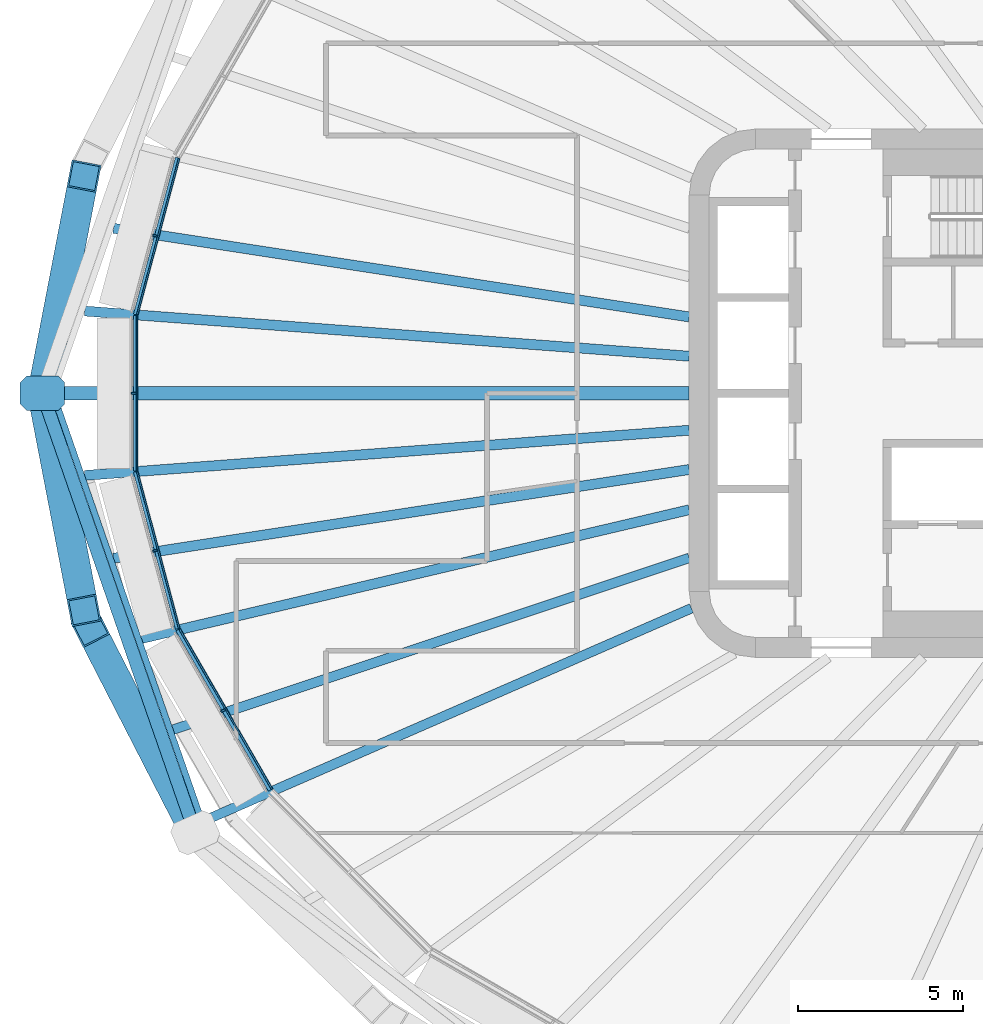
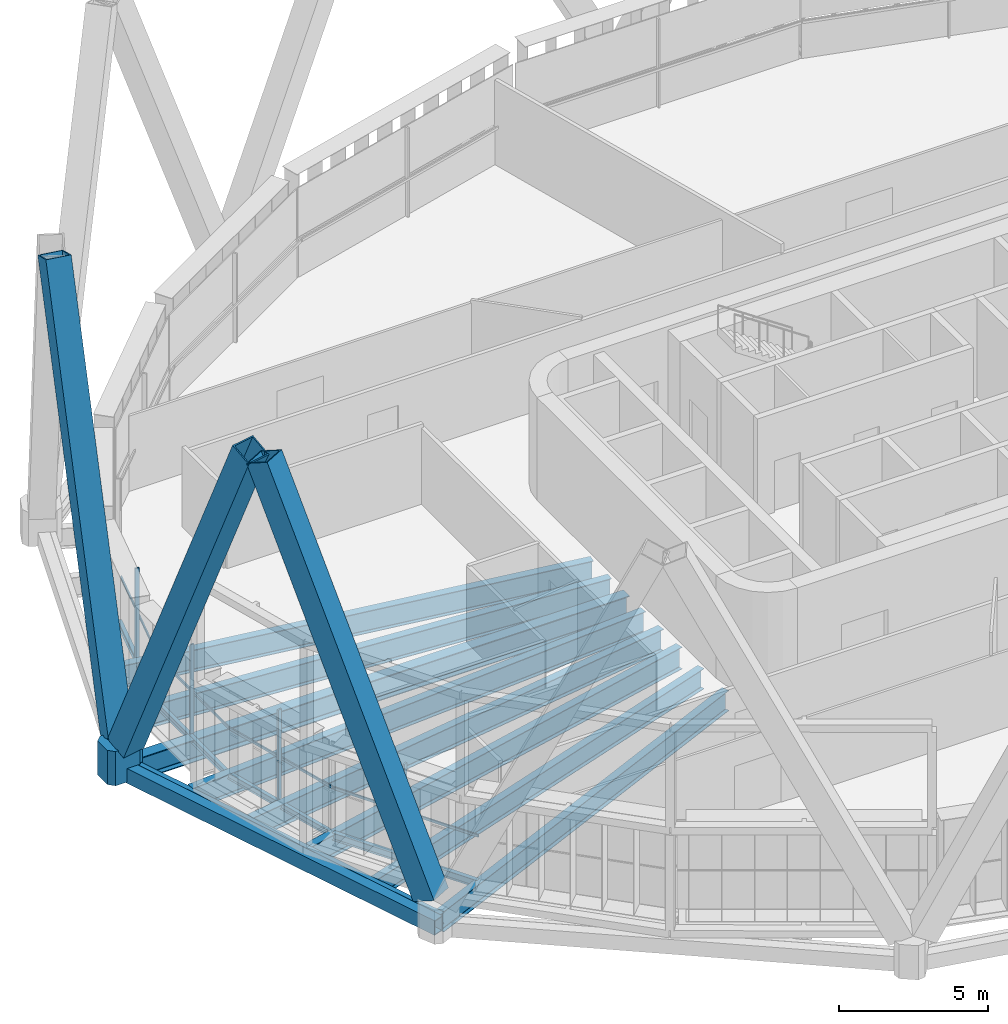
# One storey, part 3 of 25: 14 beams, 12 members, 4 elements without a shape of their own.
"""IFC4 building model written with IfcOpenShell, lengths in metres."""

from ifc_helpers import new_model, si_unit, direction, frame, origin, origin_2d, place, context, subcontext, project, spatial, polyline, rectangle, hollow_rectangle, i_section, outline, extrude, material, layer, layer_set, material_profile, profile_set, type_object, element, aggregate, save


model = new_model("IFC4")

# Units and contexts
model_context = context("Model", 3, precision=1e-05, world=origin(), true_north=direction((0.0, 1.0)))
body_context = subcontext(model_context, "Body", "Model", "MODEL_VIEW")
ifc_project = project(units=[si_unit("LENGTHUNIT", "METRE"), si_unit("AREAUNIT", "SQUARE_METRE"), si_unit("VOLUMEUNIT", "CUBIC_METRE"), si_unit("PLANEANGLEUNIT", "RADIAN"), si_unit("MASSUNIT", "GRAM", prefix="KILO")], contexts=[model_context])

# Site, building, storey
site_placement = place(None, origin())
site = spatial("IfcSite", under=ifc_project, at=site_placement, CompositionType="ELEMENT")
building_placement = place(site_placement, origin())
building = spatial("IfcBuilding", under=site, at=building_placement, Name="Sahrelin Media Tower", CompositionType="ELEMENT")
storey_placement = place(building_placement, frame((0.0, 0.0, 114.60009765625)))
storey = spatial("IfcBuildingStorey", under=building, at=storey_placement, Name="L22", CompositionType="ELEMENT", Elevation=114.60009765625)

# Members
ifc_material_1 = material(Name="Steel S460", Category="steel")
ifc_material_profile_1 = material_profile(ifc_material_1, hollow_rectangle(XDim=0.89990234375, YDim=0.89990234375, WallThickness=0.050048828125, at=origin_2d()), Name="Diagrid diagonal DG3")
ifc_profile_set_1 = profile_set([ifc_material_profile_1], Name="Steel S460")
member_type_1 = type_object("IfcMemberType", Name="Diagrid diagonal DG3", PredefinedType="BRACE", material=ifc_profile_set_1)
for number, where, z_axis, x_axis, name in (
    (1, (-34.539306640625, 0.285888671875, 0.699951171875), (0.072543222366, 0.377163278999, 0.923301327771), (-0.982000738068, 0.188877077575, 0.0), "Diagrid diagonal D04-11"),
    (2, (-34.539306640625, -0.285888671875, 0.699951171875), (0.072543222366, -0.377163278999, 0.923301327771), (0.982000738068, 0.188877077575, 0.0), "Diagrid diagonal D04-12"),
):
    element("IfcMember", number, at=place(storey_placement, frame(where, z_axis=z_axis, x_axis=x_axis)), inside=storey, type_object=member_type_1, Name=name, PredefinedType="BRACE", context=body_context, shape_type="SweptSolid", body=[
        extrude(hollow_rectangle(XDim=0.89990234375, YDim=0.89990234375, WallThickness=0.050048828125, at=origin_2d()), origin(), (0.0, 0.0, 1.0), 16.67919921875),
    ])
member_1_placement = place(storey_placement, frame((-30.09765625, -13.044921875, 0.699951171875), z_axis=(-0.181150046841, 0.352548323524, 0.91809277315), x_axis=(-0.889452455088, -0.457027712659, 0.0)))
element("IfcMember", 3, at=member_1_placement, inside=storey, type_object=member_type_1, Name="Diagrid diagonal D04-13", PredefinedType="BRACE", context=body_context, shape_type="SweptSolid", body=[
    extrude(hollow_rectangle(XDim=0.89990234375, YDim=0.89990234375, WallThickness=0.050048828125, at=origin_2d()), origin(), (0.0, 0.0, 1.0), 16.773681640625),
])
ifc_material_profile_2 = material_profile(ifc_material_1, outline(polyline([(0.47509765625, -0.52490234375), (0.675048828125, -0.324951171875), (0.675048828125, 0.324951171875), (0.47509765625, 0.52490234375), (-0.47509765625, 0.52490234375), (-0.675048828125, 0.324951171875), (-0.675048828125, -0.324951171875), (-0.47509765625, -0.52490234375), (0.47509765625, -0.52490234375)])), Name="Diagrid node block 1350")
ifc_profile_set_2 = profile_set([ifc_material_profile_2], Name="Steel S460")
member_type_2 = type_object("IfcMemberType", Name="Diagrid node block 1350", PredefinedType="USERDEFINED", material=ifc_profile_set_2)
member_2_placement = place(storey_placement, frame((-34.59423828125, 0.0, -0.7001953125), z_axis=(0.0, 0.0, 1.0), x_axis=(-1.0, 0.0, 0.0)))
element("IfcMember", 4, at=member_2_placement, inside=storey, type_object=member_type_2, Name="Diagrid node N04-06", ObjectType="NODE", PredefinedType="USERDEFINED", context=body_context, shape_type="SweptSolid", body=[
    extrude(outline(polyline([(0.47509765625, -0.52490234375), (0.675048828125, -0.324951171875), (0.675048828125, 0.324951171875), (0.47509765625, 0.52490234375), (-0.47509765625, 0.52490234375), (-0.675048828125, 0.324951171875), (-0.675048828125, -0.324951171875), (-0.47509765625, -0.52490234375), (0.47509765625, -0.52490234375)])), origin(), (0.0, 0.0, 1.0), 1.400146484375),
])

# Beams
ifc_material_profile_3 = material_profile(ifc_material_1, hollow_rectangle(XDim=0.39990234375, YDim=0.60009765625, WallThickness=0.030029296875, at=origin_2d()), Name="Diagrid ring beam RB1")
ifc_profile_set_3 = profile_set([ifc_material_profile_3], Name="Steel S460")
beam_type_1 = type_object("IfcBeamType", Name="Diagrid ring beam RB1", PredefinedType="BEAM", material=ifc_profile_set_3)
beam_1_placement = place(storey_placement, frame((-34.59423828125, 0.0, -0.4501953125), z_axis=(0.328767798917, -0.944410786891, 0.0), x_axis=(0.944410786891, 0.328767798917, 0.0)))
element("IfcBeam", 5, at=beam_1_placement, inside=storey, type_object=beam_type_1, Name="Diagrid ring beam RB04-06", PredefinedType="BEAM", context=body_context, shape_type="SweptSolid", body=[
    extrude(hollow_rectangle(XDim=0.39990234375, YDim=0.60009765625, WallThickness=0.030029296875, at=origin_2d()), origin(), (0.0, 0.0, 1.0), 14.097412109375),
])
ifc_material_2 = material(Name="Steel S355", Category="steel")
ifc_material_profile_4 = material_profile(ifc_material_2, i_section(OverallWidth=0.14599609375, OverallDepth=0.25146484375, WebThickness=0.006103515625, FlangeThickness=0.008544921875, FilletRadius=0.007568359375, at=origin_2d()), Name="UB 254x146x31")
ifc_profile_set_4 = profile_set([ifc_material_profile_4], Name="Steel S355")
beam_type_2 = type_object("IfcBeamType", Name="Edge beam EB1", PredefinedType="BEAM", material=ifc_profile_set_4)
beam_2_placement = place(storey_placement, frame((-30.488525390625, -7.131591796875, -0.27587890625), z_axis=(-0.258836128101, 0.965921248751, 0.0), x_axis=(-0.965921248751, -0.258836128101, 0.0)))
element("IfcBeam", 6, at=beam_2_placement, inside=storey, type_object=beam_type_2, Name="Edge beam L22-12", PredefinedType="BEAM", context=body_context, shape_type="SweptSolid", body=[
    extrude(i_section(OverallWidth=0.14599609375, OverallDepth=0.25146484375, WebThickness=0.006103515625, FlangeThickness=0.008544921875, FilletRadius=0.007568359375, at=origin_2d()), origin(), (0.0, 0.0, 1.0), 4.919921875),
])
beam_3_placement = place(storey_placement, frame((-31.765869140625, -2.3505859375, -0.27587890625), z_axis=(0.0, 1.0, 0.0), x_axis=(-1.0, 0.0, 0.0)))
element("IfcBeam", 7, at=beam_3_placement, inside=storey, type_object=beam_type_2, Name="Edge beam L22-13", PredefinedType="BEAM", context=body_context, shape_type="SweptSolid", body=[
    extrude(i_section(OverallWidth=0.14599609375, OverallDepth=0.25146484375, WebThickness=0.006103515625, FlangeThickness=0.008544921875, FilletRadius=0.007568359375, at=origin_2d()), origin(), (0.0, 0.0, 1.0), 4.701171875),
])
beam_4_placement = place(storey_placement, frame((-31.761962890625, 2.37939453125, -0.27587890625), z_axis=(0.258836128101, 0.965921248751, 0.0), x_axis=(-0.965921248751, 0.258836128101, 0.0)))
element("IfcBeam", 8, at=beam_4_placement, inside=storey, type_object=beam_type_2, Name="Edge beam L22-14", PredefinedType="BEAM", context=body_context, shape_type="SweptSolid", body=[
    extrude(i_section(OverallWidth=0.14599609375, OverallDepth=0.25146484375, WebThickness=0.006103515625, FlangeThickness=0.008544921875, FilletRadius=0.007568359375, at=origin_2d()), origin(), (0.0, 0.0, 1.0), 4.919921875),
])
ifc_material_profile_5 = material_profile(ifc_material_2, i_section(OverallWidth=0.1650390625, OverallDepth=0.303466796875, WebThickness=0.006103515625, FlangeThickness=0.01025390625, FilletRadius=0.0087890625, at=origin_2d()), Name="UB 305x165x40")
ifc_profile_set_5 = profile_set([ifc_material_profile_5], Name="Steel S355")
beam_type_3 = type_object("IfcBeamType", Name="Edge beam EB2", PredefinedType="BEAM", material=ifc_profile_set_5)
beam_5_placement = place(storey_placement, frame((-27.673828125, -12.014404296875, -0.3017578125), z_axis=(-0.499997576928, 0.866026802741, 0.0), x_axis=(-0.866026802741, -0.499997576928, 0.0)))
element("IfcBeam", 9, at=beam_5_placement, inside=storey, type_object=beam_type_3, Name="Edge beam L22-11", PredefinedType="BEAM", context=body_context, shape_type="SweptSolid", body=[
    extrude(i_section(OverallWidth=0.1650390625, OverallDepth=0.303466796875, WebThickness=0.006103515625, FlangeThickness=0.01025390625, FilletRadius=0.0087890625, at=origin_2d()), origin(), (0.0, 0.0, 1.0), 5.607421875),
])

# Curtain wall, member
ifc_material_3 = material(Name="Champagne anodised aluminium 6063-T6", Category="aluminium")
ifc_layer = layer(ifc_material_3, 0.14990234375)
ifc_layer_set = layer_set([ifc_layer], Name="Tower ribbon curtain wall")
curtain_wall_type = type_object("IfcCurtainWallType", Name="Tower ribbon curtain wall", PredefinedType="NOTDEFINED", material=ifc_layer_set)
curtain_wall_1_placement = place(storey_placement, frame((-31.270263671875, 4.794189453125, 0.0), z_axis=(0.0, 0.0, 1.0), x_axis=(1.0, 0.0, 0.0)))
curtain_wall_1 = element("IfcCurtainWall", 10, at=curtain_wall_1_placement, inside=storey, type_object=curtain_wall_type, Name="L22:CW:L22-11", PredefinedType="NOTDEFINED")
ifc_material_profile_6 = material_profile(ifc_material_3, rectangle(XDim=0.06005859375, YDim=0.14990234375, at=origin_2d()), Name="Mullion 60x150")
ifc_profile_set_6 = profile_set([ifc_material_profile_6], Name="Champagne anodised aluminium 6063-T6")
member_type_3 = type_object("IfcMemberType", Name="Mullion 60x150 CW1", PredefinedType="MULLION", material=ifc_profile_set_6)
member_3_placement = place(storey_placement, frame((-31.178466796875, 4.769775390625, 0.0), z_axis=(0.0, 0.0, 1.0), x_axis=(-0.258835903649, -0.965921308897, 0.0)))
member_3 = element("IfcMember", 11, at=member_3_placement, type_object=member_type_3, Name="L22:CWM:L22-11", PredefinedType="MULLION", context=body_context, shape_type="SweptSolid", body=[
    extrude(rectangle(XDim=0.06005859375, YDim=0.14990234375, at=origin_2d()), origin(), (0.0, 0.0, 1.0), 3.6484375),
])

curtain_wall_2_placement = place(storey_placement, frame((-31.915771484375, 0.0, 0.0), z_axis=(0.0, 0.0, 1.0), x_axis=(1.0, 0.0, 0.0)))
curtain_wall_2 = element("IfcCurtainWall", 12, at=curtain_wall_2_placement, inside=storey, type_object=curtain_wall_type, Name="L22:CW:L22-12", PredefinedType="NOTDEFINED")
member_4_placement = place(storey_placement, frame((-31.82080078125, 0.0, 0.0), z_axis=(0.0, 0.0, 1.0), x_axis=(0.0, -1.0, 0.0)))
member_4 = element("IfcMember", 13, at=member_4_placement, type_object=member_type_3, Name="L22:CWM:L22-12", PredefinedType="MULLION", context=body_context, shape_type="SweptSolid", body=[
    extrude(rectangle(XDim=0.06005859375, YDim=0.14990234375, at=origin_2d()), origin(), (0.0, 0.0, 1.0), 3.6484375),
])

curtain_wall_3_placement = place(storey_placement, frame((-31.270263671875, -4.794189453125, 0.0), z_axis=(0.0, 0.0, 1.0), x_axis=(1.0, 0.0, 0.0)))
curtain_wall_3 = element("IfcCurtainWall", 14, at=curtain_wall_3_placement, inside=storey, type_object=curtain_wall_type, Name="L22:CW:L22-13", PredefinedType="NOTDEFINED")
member_5_placement = place(storey_placement, frame((-31.178466796875, -4.769775390625, 0.0), z_axis=(0.0, 0.0, 1.0), x_axis=(0.258835903649, -0.965921308897, 0.0)))
member_5 = element("IfcMember", 15, at=member_5_placement, type_object=member_type_3, Name="L22:CWM:L22-13", PredefinedType="MULLION", context=body_context, shape_type="SweptSolid", body=[
    extrude(rectangle(XDim=0.06005859375, YDim=0.14990234375, at=origin_2d()), origin(), (0.0, 0.0, 1.0), 3.6484375),
])

curtain_wall_4_placement = place(storey_placement, frame((-29.20556640625, -9.6611328125, 0.0), z_axis=(0.0, 0.0, 1.0), x_axis=(1.0, 0.0, 0.0)))
curtain_wall_4 = element("IfcCurtainWall", 16, at=curtain_wall_4_placement, inside=storey, type_object=curtain_wall_type, Name="L22:CW:L22-14", PredefinedType="NOTDEFINED")
member_6_placement = place(storey_placement, frame((-29.123291015625, -9.61376953125, 0.0), z_axis=(0.0, 0.0, 1.0), x_axis=(0.499990930976, -0.866030639725, 0.0)))
member_6 = element("IfcMember", 17, at=member_6_placement, type_object=member_type_3, Name="L22:CWM:L22-14", PredefinedType="MULLION", context=body_context, shape_type="SweptSolid", body=[
    extrude(rectangle(XDim=0.06005859375, YDim=0.14990234375, at=origin_2d()), origin(), (0.0, 0.0, 1.0), 3.6484375),
])

# Beams
ifc_material_profile_7 = material_profile(ifc_material_2, i_section(OverallWidth=0.291748046875, OverallDepth=0.8349609375, WebThickness=0.013916015625, FlangeThickness=0.018798828125, FilletRadius=0.017822265625, at=origin_2d()), Name="UB 838x292x176")
ifc_profile_set_7 = profile_set([ifc_material_profile_7], Name="Steel S355")
beam_type_4 = type_object("IfcBeamType", Name="Radial primary beam PB10", PredefinedType="BEAM", material=ifc_profile_set_7)
beam_6_placement = place(storey_placement, frame((-14.9326171875, -6.5126953125, -0.567626953125), z_axis=(-0.916611517945, -0.399779095465, 0.0), x_axis=(0.399779095465, -0.916611517945, 0.0)))
element("IfcBeam", 18, at=beam_6_placement, inside=storey, type_object=beam_type_4, Name="Radial beam L22-15", PredefinedType="BEAM", context=body_context, shape_type="SweptSolid", body=[
    extrude(i_section(OverallWidth=0.291748046875, OverallDepth=0.8349609375, WebThickness=0.013916015625, FlangeThickness=0.018798828125, FilletRadius=0.017822265625, at=origin_2d()), origin(), (0.0, 0.0, 1.0), 16.078857421875),
])
ifc_material_profile_8 = material_profile(ifc_material_2, i_section(OverallWidth=0.30322265625, OverallDepth=0.903076171875, WebThickness=0.01513671875, FlangeThickness=0.020263671875, FilletRadius=0.01904296875, at=origin_2d()), Name="UB 914x305x201")
ifc_profile_set_8 = profile_set([ifc_material_profile_8], Name="Steel S355")
beam_type_5 = type_object("IfcBeamType", Name="Radial primary beam PB11", PredefinedType="BEAM", material=ifc_profile_set_8)
for number, where, z_axis, x_axis, name in (
    (19, (-15.0, 1.120849609375, -0.6015625), (-0.997219652732, 0.074518213909, 0.0), (-0.074518213909, -0.997219652732, 0.0), "Radial beam L22-12"),
    (20, (-15.0, -1.120849609375, -0.6015625), (-0.997219652732, -0.074518213909, 0.0), (0.074518213909, -0.997219652732, 0.0), "Radial beam L22-13"),
):
    element("IfcBeam", number, at=place(storey_placement, frame(where, z_axis=z_axis, x_axis=x_axis)), inside=storey, type_object=beam_type_5, Name=name, PredefinedType="BEAM", context=body_context, shape_type="SweptSolid", body=[
        extrude(i_section(OverallWidth=0.30322265625, OverallDepth=0.903076171875, WebThickness=0.01513671875, FlangeThickness=0.020263671875, FilletRadius=0.01904296875, at=origin_2d()), origin(), (0.0, 0.0, 1.0), 18.360107421875),
    ])
beam_7_placement = place(storey_placement, frame((-15.0, -3.5283203125, -0.6015625), z_axis=(-0.97343238477, -0.228974654232, 0.0), x_axis=(0.228974654232, -0.97343238477, 0.0)))
element("IfcBeam", 21, at=beam_7_placement, inside=storey, type_object=beam_type_5, Name="Radial beam L22-14", PredefinedType="BEAM", context=body_context, shape_type="SweptSolid", body=[
    extrude(i_section(OverallWidth=0.30322265625, OverallDepth=0.903076171875, WebThickness=0.01513671875, FlangeThickness=0.020263671875, FilletRadius=0.01904296875, at=origin_2d()), origin(), (0.0, 0.0, 1.0), 17.04150390625),
])
ifc_material_profile_9 = material_profile(ifc_material_2, i_section(OverallWidth=0.291748046875, OverallDepth=0.8349609375, WebThickness=0.013916015625, FlangeThickness=0.018798828125, FilletRadius=0.017822265625, at=origin_2d()), Name="UB 838x292x176")
ifc_profile_set_9 = profile_set([ifc_material_profile_9], Name="Steel S355")
beam_type_6 = type_object("IfcBeamType", Name="Radial secondary beam SB10", PredefinedType="BEAM", material=ifc_profile_set_9)
beam_8_placement = place(storey_placement, frame((-15.0, -4.989990234375, -0.567626953125), z_axis=(-0.948875817158, -0.315649621595, 0.0), x_axis=(0.315649621595, -0.948875817158, 0.0)))
element("IfcBeam", 22, at=beam_8_placement, inside=storey, type_object=beam_type_6, Name="Secondary beam L22-14", PredefinedType="BEAM", context=body_context, shape_type="SweptSolid", body=[
    extrude(i_section(OverallWidth=0.291748046875, OverallDepth=0.8349609375, WebThickness=0.013916015625, FlangeThickness=0.018798828125, FilletRadius=0.017822265625, at=origin_2d()), origin(), (0.0, 0.0, 1.0), 16.470703125),
])
ifc_material_profile_10 = material_profile(ifc_material_2, i_section(OverallWidth=0.30322265625, OverallDepth=0.903076171875, WebThickness=0.01513671875, FlangeThickness=0.020263671875, FilletRadius=0.01904296875, at=origin_2d()), Name="UB 914x305x201")
ifc_profile_set_10 = profile_set([ifc_material_profile_10], Name="Steel S355")
beam_type_7 = type_object("IfcBeamType", Name="Radial secondary beam SB11", PredefinedType="BEAM", material=ifc_profile_set_10)
for number, where, z_axis, x_axis, name in (
    (23, (-15.0, 2.31005859375, -0.6015625), (-0.988348168319, 0.152210046252, 0.0), (-0.152210046252, -0.988348168319, 0.0), "Secondary beam L22-11"),
    (24, (-15.0, -2.31005859375, -0.6015625), (-0.988348168319, -0.152210046252, 0.0), (0.152210046252, -0.988348168319, 0.0), "Secondary beam L22-13"),
):
    element("IfcBeam", number, at=place(storey_placement, frame(where, z_axis=z_axis, x_axis=x_axis)), inside=storey, type_object=beam_type_7, Name=name, PredefinedType="BEAM", context=body_context, shape_type="SweptSolid", body=[
        extrude(i_section(OverallWidth=0.30322265625, OverallDepth=0.903076171875, WebThickness=0.01513671875, FlangeThickness=0.020263671875, FilletRadius=0.01904296875, at=origin_2d()), origin(), (0.0, 0.0, 1.0), 17.64208984375),
    ])
ifc_material_profile_11 = material_profile(ifc_material_2, i_section(OverallWidth=0.41845703125, OverallDepth=0.911865234375, WebThickness=0.019287109375, FlangeThickness=0.031982421875, FilletRadius=0.024169921875, at=origin_2d()), Name="UB 914x419x343")
ifc_profile_set_11 = profile_set([ifc_material_profile_11], Name="Steel S355")
beam_type_8 = type_object("IfcBeamType", Name="Radial secondary beam SB12", PredefinedType="BEAM", material=ifc_profile_set_11)
beam_9_placement = place(storey_placement, frame((-15.0, 0.0, -0.60595703125), z_axis=(-1.0, 0.0, 0.0), x_axis=(0.0, -1.0, 0.0)))
element("IfcBeam", 25, at=beam_9_placement, inside=storey, type_object=beam_type_8, Name="Secondary beam L22-12", PredefinedType="BEAM", context=body_context, shape_type="SweptSolid", body=[
    extrude(i_section(OverallWidth=0.41845703125, OverallDepth=0.911865234375, WebThickness=0.019287109375, FlangeThickness=0.031982421875, FilletRadius=0.024169921875, at=origin_2d()), origin(), (0.0, 0.0, 1.0), 19.175537109375),
])
ifc_material_profile_12 = material_profile(ifc_material_2, i_section(OverallWidth=0.1904296875, OverallDepth=0.45703125, WebThickness=0.009033203125, FlangeThickness=0.014404296875, FilletRadius=0.01025390625, at=origin_2d()), Name="UB 457x191x74")
ifc_profile_set_12 = profile_set([ifc_material_profile_12], Name="Steel S355")
beam_type_9 = type_object("IfcBeamType", Name="Tie chord TC5", PredefinedType="BEAM", material=ifc_profile_set_12)
beam_10_placement = place(storey_placement, frame((-29.705322265625, -13.13037109375, -0.378662109375), z_axis=(-0.328774654674, 0.94440840024, 0.0), x_axis=(-0.94440840024, -0.328774654674, 0.0)))
element("IfcBeam", 26, at=beam_10_placement, inside=storey, type_object=beam_type_9, Name="Tie chord L22-06", PredefinedType="BEAM", context=body_context, shape_type="SweptSolid", body=[
    extrude(i_section(OverallWidth=0.1904296875, OverallDepth=0.45703125, WebThickness=0.009033203125, FlangeThickness=0.014404296875, FilletRadius=0.01025390625, at=origin_2d()), origin(), (0.0, 0.0, 1.0), 13.9033203125),
])

# Member
ifc_material_profile_13 = material_profile(ifc_material_3, rectangle(XDim=0.050048828125, YDim=0.10009765625, at=origin_2d()), Name="Transom 50x100")
ifc_profile_set_13 = profile_set([ifc_material_profile_13], Name="Champagne anodised aluminium 6063-T6")
member_type_4 = type_object("IfcMemberType", Name="Transom 50x100 CW1", PredefinedType="USERDEFINED", material=ifc_profile_set_13)
member_7_placement = place(storey_placement, frame((-30.44921875, 7.104736328125, 1.599853515625), z_axis=(-0.258846754229, -0.965918401225, 0.0), x_axis=(0.965918401225, -0.258846754229, 0.0)))
member_7 = element("IfcMember", 27, at=member_7_placement, type_object=member_type_4, Name="L22:CWT:L22-11", ObjectType="TRANSOM", PredefinedType="USERDEFINED", context=body_context, shape_type="SweptSolid", body=[
    extrude(rectangle(XDim=0.050048828125, YDim=0.10009765625, at=origin_2d()), origin(), (0.0, 0.0, 1.0), 4.888427734375),
])

aggregate(curtain_wall_1, [member_3, member_7])

member_8_placement = place(storey_placement, frame((-31.720703125, 2.3349609375, 1.599853515625), z_axis=(0.0, -1.0, 0.0), x_axis=(1.0, 0.0, 0.0)))
member_8 = element("IfcMember", 28, at=member_8_placement, type_object=member_type_4, Name="L22:CWT:L22-12", ObjectType="TRANSOM", PredefinedType="USERDEFINED", context=body_context, shape_type="SweptSolid", body=[
    extrude(rectangle(XDim=0.050048828125, YDim=0.10009765625, at=origin_2d()), origin(), (0.0, 0.0, 1.0), 4.669921875),
])

aggregate(curtain_wall_2, [member_4, member_8])

member_9_placement = place(storey_placement, frame((-31.714599609375, -2.3828125, 1.599853515625), z_axis=(0.258846754229, -0.965918401225, 0.0), x_axis=(0.965918401225, 0.258846754229, 0.0)))
member_9 = element("IfcMember", 29, at=member_9_placement, type_object=member_type_4, Name="L22:CWT:L22-13", ObjectType="TRANSOM", PredefinedType="USERDEFINED", context=body_context, shape_type="SweptSolid", body=[
    extrude(rectangle(XDim=0.050048828125, YDim=0.10009765625, at=origin_2d()), origin(), (0.0, 0.0, 1.0), 4.888427734375),
])

aggregate(curtain_wall_3, [member_5, member_9])

member_10_placement = place(storey_placement, frame((-30.4306640625, -7.1494140625, 1.599853515625), z_axis=(0.499986503906, -0.866033195618, 0.0), x_axis=(0.866033195618, 0.499986503906, 0.0)))
member_10 = element("IfcMember", 30, at=member_10_placement, type_object=member_type_4, Name="L22:CWT:L22-14", ObjectType="TRANSOM", PredefinedType="USERDEFINED", context=body_context, shape_type="SweptSolid", body=[
    extrude(rectangle(XDim=0.050048828125, YDim=0.10009765625, at=origin_2d()), origin(), (0.0, 0.0, 1.0), 5.575927734375),
])

aggregate(curtain_wall_4, [member_6, member_10])

save(model, "model.ifc")
